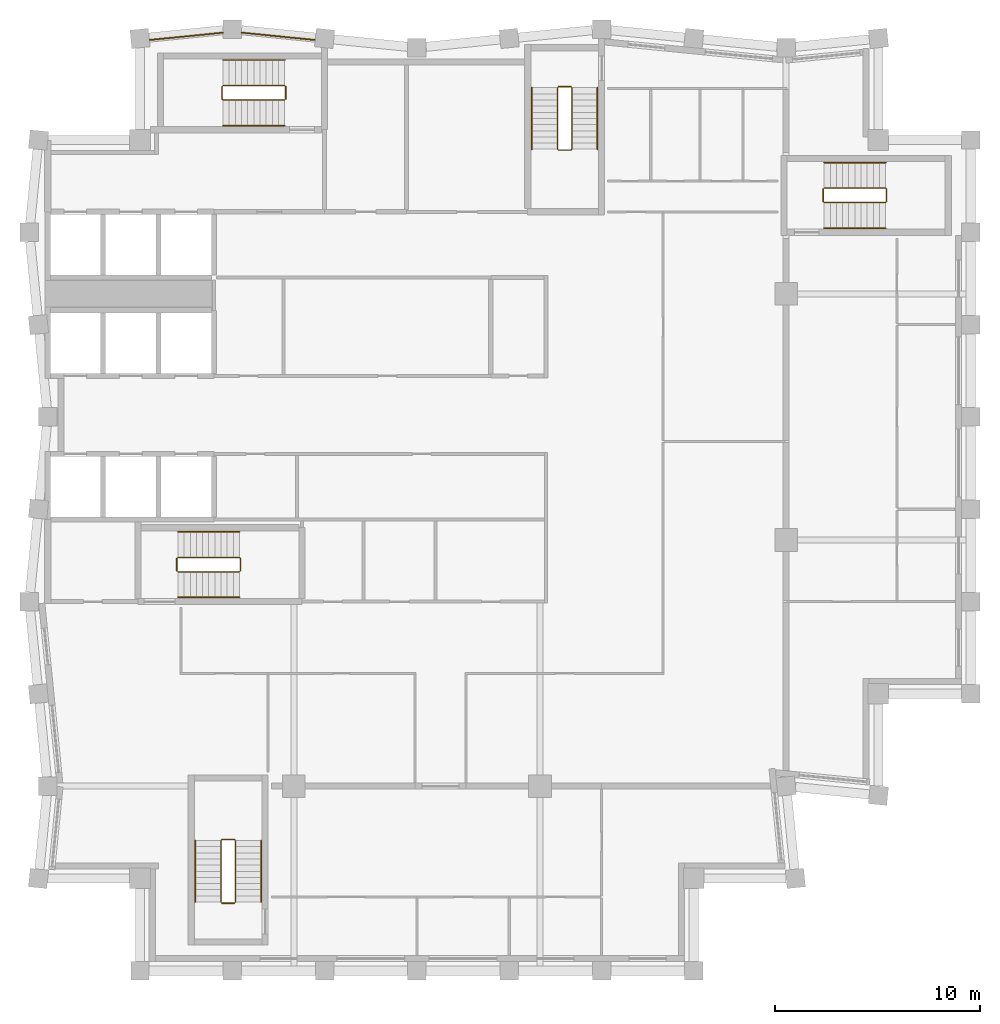
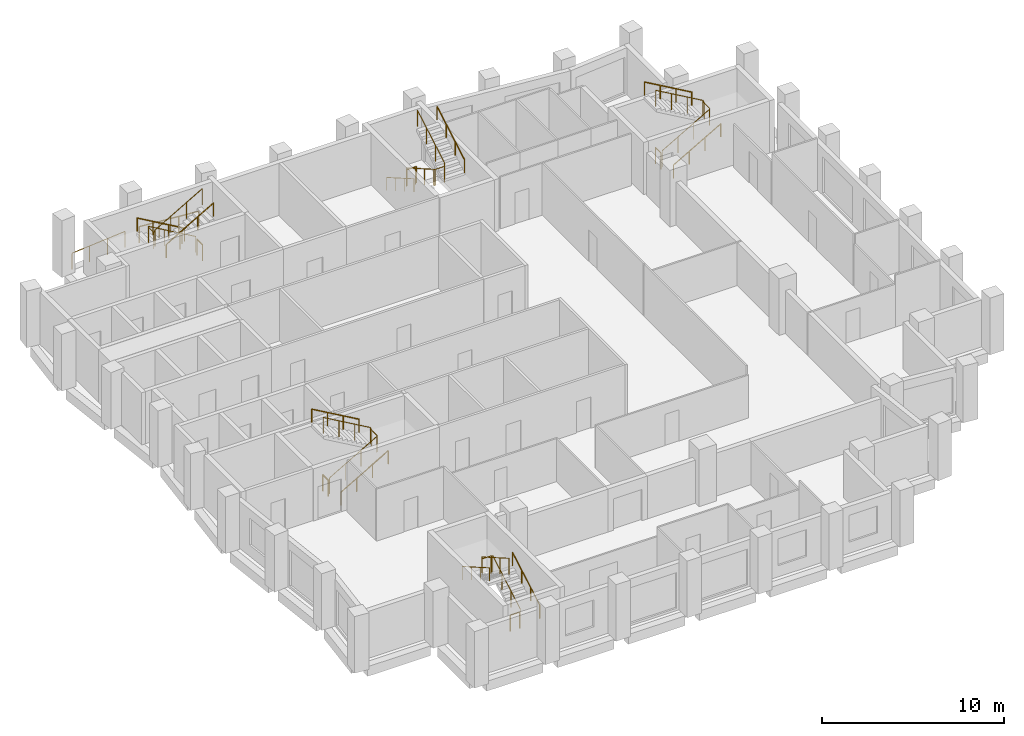
# One storey, part 7 of 7: 22 railings.
"""IFC4 building model written with IfcOpenShell, lengths in metres."""

from ifc_helpers import new_model, si_unit, direction, frame, origin, origin_2d, place, context, subcontext, project, spatial, circle, extrude, material, type_object, element, save


model = new_model("IFC4")

# Units and contexts
model_context = context("Model", 3, precision=1e-05, world=origin(), true_north=direction((0.0, 1.0)))
body_context = subcontext(model_context, "Body", "Model", "MODEL_VIEW")
ifc_project = project(units=[si_unit("LENGTHUNIT", "METRE"), si_unit("AREAUNIT", "SQUARE_METRE"), si_unit("VOLUMEUNIT", "CUBIC_METRE"), si_unit("PLANEANGLEUNIT", "RADIAN"), si_unit("MASSUNIT", "GRAM", prefix="KILO")], contexts=[model_context])

# Site, building, storey
site_placement = place(None, origin())
site = spatial("IfcSite", under=ifc_project, at=site_placement, CompositionType="ELEMENT")
building_placement = place(site_placement, origin())
building = spatial("IfcBuilding", under=site, at=building_placement, Name="Brondeck Convention Tower", CompositionType="ELEMENT")
storey_placement = place(building_placement, frame((0.0, 0.0, 267.60009765625)))
storey = spatial("IfcBuildingStorey", under=building, at=storey_placement, Name="L66", CompositionType="ELEMENT", Elevation=267.60009765625)

# Railings
ifc_material_1 = material(Name="Steel S355, bronze painted", Category="steel")
railing_type_1 = type_object("IfcRailingType", Name="Guard, bronze steel rail and posts", PredefinedType="GUARDRAIL", material=ifc_material_1)
railing_1_placement = place(storey_placement, frame((4.9794921875, 63.37744140625, 0.0)))
element("IfcRailing", 1, at=railing_1_placement, inside=storey, type_object=railing_type_1, Name="ENV-RL-L66-REAR1", PredefinedType="GUARDRAIL", context=body_context, shape_type="SweptSolid", body=[
    extrude(circle(Radius=0.02490234375, at=origin_2d()), frame((0.0, 0.0, 1.0751953125), z_axis=(0.995037864926, 0.099496971632, 0.0), x_axis=(-0.099496971632, 0.995037864926, 0.0)), (0.0, 0.0, 1.0), 3.58251953125),
    extrude(circle(Radius=0.02490234375, at=origin_2d()), origin(), (0.0, 0.0, 1.0), 1.050048828125),
    extrude(circle(Radius=0.02490234375, at=origin_2d()), frame((1.188232421875, 0.118896484375, 0.0)), (0.0, 0.0, 1.0), 1.050048828125),
    extrude(circle(Radius=0.02490234375, at=origin_2d()), frame((2.37646484375, 0.237548828125, 0.0)), (0.0, 0.0, 1.0), 1.050048828125),
    extrude(circle(Radius=0.02490234375, at=origin_2d()), frame((3.564697265625, 0.3564453125, 0.0)), (0.0, 0.0, 1.0), 1.050048828125),
])
railing_2_placement = place(storey_placement, frame((9.455810546875, 63.73388671875, 0.0)))
element("IfcRailing", 2, at=railing_2_placement, inside=storey, type_object=railing_type_1, Name="ENV-RL-L66-REAR2", PredefinedType="GUARDRAIL", context=body_context, shape_type="SweptSolid", body=[
    extrude(circle(Radius=0.02490234375, at=origin_2d()), frame((0.0, 0.0, 1.0751953125), z_axis=(0.995037864926, -0.099496971632, 0.0), x_axis=(0.099496971632, 0.995037864926, 0.0)), (0.0, 0.0, 1.0), 3.58251953125),
    extrude(circle(Radius=0.02490234375, at=origin_2d()), origin(), (0.0, 0.0, 1.0), 1.050048828125),
    extrude(circle(Radius=0.02490234375, at=origin_2d()), frame((1.188232421875, -0.118896484375, 0.0)), (0.0, 0.0, 1.0), 1.050048828125),
    extrude(circle(Radius=0.02490234375, at=origin_2d()), frame((2.37646484375, -0.237548828125, 0.0)), (0.0, 0.0, 1.0), 1.050048828125),
    extrude(circle(Radius=0.02490234375, at=origin_2d()), frame((3.564697265625, -0.3564453125, 0.0)), (0.0, 0.0, 1.0), 1.050048828125),
])
ifc_material_2 = material(Name="Steel S355", Category="steel")
railing_type_2 = type_object("IfcRailingType", Name="Stair guard 1100", PredefinedType="GUARDRAIL", material=ifc_material_2)
railing_3_placement = place(storey_placement, frame((6.35009765625, 37.449951171875, 0.172607421875)))
element("IfcRailing", 3, at=railing_3_placement, inside=storey, type_object=railing_type_2, Name="L66 ST-1 stair guard 1", PredefinedType="GUARDRAIL", context=body_context, shape_type="SweptSolid", body=[
    extrude(circle(Radius=0.02392578125, at=origin_2d()), frame((0.0, 0.0, 1.076171875), z_axis=(0.866619684472, 0.0, 0.498969260062), x_axis=(0.0, 1.0, 0.0)), (0.0, 0.0, 1.0), 3.461669921875),
    extrude(circle(Radius=0.02392578125, at=origin_2d()), frame((3.0, 0.0, 2.80322265625), z_axis=(0.705375805398, 0.708833529934, 0.0), x_axis=(-0.708833529934, 0.705375805398, 0.0)), (0.0, 0.0, 1.0), 0.070556640625),
    extrude(circle(Radius=0.02392578125, at=origin_2d()), frame((3.0498046875, 0.050048828125, 2.80322265625), z_axis=(0.0, 1.0, 0.0), x_axis=(-1.0, 0.0, 0.0)), (0.0, 0.0, 1.0), 0.60009765625),
    extrude(circle(Radius=0.02392578125, at=origin_2d()), frame((3.0498046875, 0.650146484375, 2.80322265625), z_axis=(-0.26715648603, 0.26715648603, 0.925880566782), x_axis=(-0.707106781187, -0.707106781187, 0.0)), (0.0, 0.0, 1.0), 0.1865234375),
    extrude(circle(Radius=0.02392578125, at=origin_2d()), frame((3.0, 0.699951171875, 2.97607421875), z_axis=(-0.866619684472, 0.0, 0.498969260062), x_axis=(0.0, -1.0, 0.0)), (0.0, 0.0, 1.0), 3.461669921875),
    extrude(circle(Radius=0.02099609375, at=origin_2d()), origin(), (0.0, 0.0, 1.0), 1.052001953125),
    extrude(circle(Radius=0.02099609375, at=origin_2d()), frame((1.0, 0.0, 0.57568359375)), (0.0, 0.0, 1.0), 1.052001953125),
    extrude(circle(Radius=0.02099609375, at=origin_2d()), frame((2.0, 0.0, 1.151611328125)), (0.0, 0.0, 1.0), 1.052001953125),
    extrude(circle(Radius=0.02099609375, at=origin_2d()), frame((3.0, 0.0, 1.727294921875)), (0.0, 0.0, 1.0), 1.052001953125),
    extrude(circle(Radius=0.02099609375, at=origin_2d()), frame((3.0498046875, 0.050048828125, 1.727294921875)), (0.0, 0.0, 1.0), 1.052001953125),
    extrude(circle(Radius=0.02099609375, at=origin_2d()), frame((3.0498046875, 0.650146484375, 1.727294921875)), (0.0, 0.0, 1.0), 1.052001953125),
    extrude(circle(Radius=0.02099609375, at=origin_2d()), frame((3.0, 0.699951171875, 1.89990234375)), (0.0, 0.0, 1.0), 1.052001953125),
    extrude(circle(Radius=0.02099609375, at=origin_2d()), frame((2.0, 0.699951171875, 2.4755859375)), (0.0, 0.0, 1.0), 1.052001953125),
    extrude(circle(Radius=0.02099609375, at=origin_2d()), frame((1.0, 0.699951171875, 3.051513671875)), (0.0, 0.0, 1.0), 1.052001953125),
    extrude(circle(Radius=0.02099609375, at=origin_2d()), frame((0.0, 0.699951171875, 3.627197265625)), (0.0, 0.0, 1.0), 1.052001953125),
])
railing_4_placement = place(storey_placement, frame((6.300048828125, 37.5, 0.0)))
element("IfcRailing", 4, at=railing_4_placement, inside=storey, type_object=railing_type_2, Name="L66 ST-1 stair guard 2", PredefinedType="GUARDRAIL", context=body_context, shape_type="SweptSolid", body=[
    extrude(circle(Radius=0.02392578125, at=origin_2d()), frame((0.0, 0.0, 1.076171875), z_axis=(0.0, 1.0, 0.0), x_axis=(-1.0, 0.0, 0.0)), (0.0, 0.0, 1.0), 0.60009765625),
    extrude(circle(Radius=0.02099609375, at=origin_2d()), origin(), (0.0, 0.0, 1.0), 1.052001953125),
    extrude(circle(Radius=0.02099609375, at=origin_2d()), frame((0.0, 0.60009765625, 0.0)), (0.0, 0.0, 1.0), 1.052001953125),
])
railing_5_placement = place(storey_placement, frame((24.85009765625, 61.050048828125, 0.172607421875)))
element("IfcRailing", 5, at=railing_5_placement, inside=storey, type_object=railing_type_2, Name="L66 ST-2 stair guard 1", PredefinedType="GUARDRAIL", context=body_context, shape_type="SweptSolid", body=[
    extrude(circle(Radius=0.02392578125, at=origin_2d()), frame((0.0, 0.0, 1.076171875), z_axis=(0.0, -0.866619684472, 0.498969260062), x_axis=(1.0, 0.0, 0.0)), (0.0, 0.0, 1.0), 3.461669921875),
    extrude(circle(Radius=0.02392578125, at=origin_2d()), frame((0.0, -3.0, 2.80322265625), z_axis=(0.705375805398, -0.708833529934, 0.0), x_axis=(0.708833529934, 0.705375805398, 0.0)), (0.0, 0.0, 1.0), 0.070556640625),
    extrude(circle(Radius=0.02392578125, at=origin_2d()), frame((0.0498046875, -3.050048828125, 2.80322265625), z_axis=(1.0, 0.0, 0.0), x_axis=(0.0, 1.0, 0.0)), (0.0, 0.0, 1.0), 0.60009765625),
    extrude(circle(Radius=0.02392578125, at=origin_2d()), frame((0.64990234375, -3.050048828125, 2.80322265625), z_axis=(0.268277960024, 0.268277960024, 0.925231793839), x_axis=(-0.707106781187, 0.707106781187, 0.0)), (0.0, 0.0, 1.0), 0.1865234375),
    extrude(circle(Radius=0.02392578125, at=origin_2d()), frame((0.699951171875, -3.0, 2.97607421875), z_axis=(0.0, 0.866619684472, 0.498969260062), x_axis=(-1.0, 0.0, 0.0)), (0.0, 0.0, 1.0), 3.461669921875),
    extrude(circle(Radius=0.02099609375, at=origin_2d()), origin(), (0.0, 0.0, 1.0), 1.052001953125),
    extrude(circle(Radius=0.02099609375, at=origin_2d()), frame((0.0, -1.0, 0.57568359375)), (0.0, 0.0, 1.0), 1.052001953125),
    extrude(circle(Radius=0.02099609375, at=origin_2d()), frame((0.0, -2.0, 1.151611328125)), (0.0, 0.0, 1.0), 1.052001953125),
    extrude(circle(Radius=0.02099609375, at=origin_2d()), frame((0.0, -3.0, 1.727294921875)), (0.0, 0.0, 1.0), 1.052001953125),
    extrude(circle(Radius=0.02099609375, at=origin_2d()), frame((0.0498046875, -3.050048828125, 1.727294921875)), (0.0, 0.0, 1.0), 1.052001953125),
    extrude(circle(Radius=0.02099609375, at=origin_2d()), frame((0.64990234375, -3.050048828125, 1.727294921875)), (0.0, 0.0, 1.0), 1.052001953125),
    extrude(circle(Radius=0.02099609375, at=origin_2d()), frame((0.699951171875, -3.0, 1.89990234375)), (0.0, 0.0, 1.0), 1.052001953125),
    extrude(circle(Radius=0.02099609375, at=origin_2d()), frame((0.699951171875, -2.0, 2.4755859375)), (0.0, 0.0, 1.0), 1.052001953125),
    extrude(circle(Radius=0.02099609375, at=origin_2d()), frame((0.699951171875, -1.0, 3.051513671875)), (0.0, 0.0, 1.0), 1.052001953125),
    extrude(circle(Radius=0.02099609375, at=origin_2d()), frame((0.699951171875, 0.0, 3.627197265625)), (0.0, 0.0, 1.0), 1.052001953125),
])
railing_6_placement = place(storey_placement, frame((24.89990234375, 61.10009765625, 0.0)))
element("IfcRailing", 6, at=railing_6_placement, inside=storey, type_object=railing_type_2, Name="L66 ST-2 stair guard 2", PredefinedType="GUARDRAIL", context=body_context, shape_type="SweptSolid", body=[
    extrude(circle(Radius=0.02392578125, at=origin_2d()), frame((0.0, 0.0, 1.076171875), z_axis=(1.0, 0.0, 0.0), x_axis=(0.0, 1.0, 0.0)), (0.0, 0.0, 1.0), 0.60009765625),
    extrude(circle(Radius=0.02099609375, at=origin_2d()), origin(), (0.0, 0.0, 1.0), 1.052001953125),
    extrude(circle(Radius=0.02099609375, at=origin_2d()), frame((0.60009765625, 0.0, 0.0)), (0.0, 0.0, 1.0), 1.052001953125),
])
railing_7_placement = place(storey_placement, frame((11.550048828125, 61.14990234375, 0.172607421875)))
element("IfcRailing", 7, at=railing_7_placement, inside=storey, type_object=railing_type_2, Name="L66 ST-3 stair guard 1", PredefinedType="GUARDRAIL", context=body_context, shape_type="SweptSolid", body=[
    extrude(circle(Radius=0.02392578125, at=origin_2d()), frame((0.0, 0.0, 1.076171875), z_axis=(-0.866619684472, 0.0, 0.498969260062), x_axis=(0.0, -1.0, 0.0)), (0.0, 0.0, 1.0), 3.461669921875),
    extrude(circle(Radius=0.02392578125, at=origin_2d()), frame((-3.0, 0.0, 2.80322265625), z_axis=(-0.708833529934, -0.705375805398, 0.0), x_axis=(0.705375805398, -0.708833529934, 0.0)), (0.0, 0.0, 1.0), 0.070556640625),
    extrude(circle(Radius=0.02392578125, at=origin_2d()), frame((-3.050048828125, -0.0498046875, 2.80322265625), z_axis=(0.0, -1.0, 0.0), x_axis=(1.0, 0.0, 0.0)), (0.0, 0.0, 1.0), 0.60009765625),
    extrude(circle(Radius=0.02392578125, at=origin_2d()), frame((-3.050048828125, -0.64990234375, 2.80322265625), z_axis=(0.268277960024, -0.268277960024, 0.925231793839), x_axis=(0.707106781187, 0.707106781187, 0.0)), (0.0, 0.0, 1.0), 0.1865234375),
    extrude(circle(Radius=0.02392578125, at=origin_2d()), frame((-3.0, -0.699951171875, 2.97607421875), z_axis=(0.866619684472, 0.0, 0.498969260062), x_axis=(0.0, 1.0, 0.0)), (0.0, 0.0, 1.0), 3.461669921875),
    extrude(circle(Radius=0.02099609375, at=origin_2d()), origin(), (0.0, 0.0, 1.0), 1.052001953125),
    extrude(circle(Radius=0.02099609375, at=origin_2d()), frame((-1.0, 0.0, 0.57568359375)), (0.0, 0.0, 1.0), 1.052001953125),
    extrude(circle(Radius=0.02099609375, at=origin_2d()), frame((-2.0, 0.0, 1.151611328125)), (0.0, 0.0, 1.0), 1.052001953125),
    extrude(circle(Radius=0.02099609375, at=origin_2d()), frame((-3.0, 0.0, 1.727294921875)), (0.0, 0.0, 1.0), 1.052001953125),
    extrude(circle(Radius=0.02099609375, at=origin_2d()), frame((-3.050048828125, -0.0498046875, 1.727294921875)), (0.0, 0.0, 1.0), 1.052001953125),
    extrude(circle(Radius=0.02099609375, at=origin_2d()), frame((-3.050048828125, -0.64990234375, 1.727294921875)), (0.0, 0.0, 1.0), 1.052001953125),
    extrude(circle(Radius=0.02099609375, at=origin_2d()), frame((-3.0, -0.699951171875, 1.89990234375)), (0.0, 0.0, 1.0), 1.052001953125),
    extrude(circle(Radius=0.02099609375, at=origin_2d()), frame((-2.0, -0.699951171875, 2.4755859375)), (0.0, 0.0, 1.0), 1.052001953125),
    extrude(circle(Radius=0.02099609375, at=origin_2d()), frame((-1.0, -0.699951171875, 3.051513671875)), (0.0, 0.0, 1.0), 1.052001953125),
    extrude(circle(Radius=0.02099609375, at=origin_2d()), frame((0.0, -0.699951171875, 3.627197265625)), (0.0, 0.0, 1.0), 1.052001953125),
])
railing_8_placement = place(storey_placement, frame((11.60009765625, 61.10009765625, 0.0)))
element("IfcRailing", 8, at=railing_8_placement, inside=storey, type_object=railing_type_2, Name="L66 ST-3 stair guard 2", PredefinedType="GUARDRAIL", context=body_context, shape_type="SweptSolid", body=[
    extrude(circle(Radius=0.02392578125, at=origin_2d()), frame((0.0, 0.0, 1.076171875), z_axis=(0.0, -1.0, 0.0), x_axis=(1.0, 0.0, 0.0)), (0.0, 0.0, 1.0), 0.60009765625),
    extrude(circle(Radius=0.02099609375, at=origin_2d()), origin(), (0.0, 0.0, 1.0), 1.052001953125),
    extrude(circle(Radius=0.02099609375, at=origin_2d()), frame((0.0, -0.60009765625, 0.0)), (0.0, 0.0, 1.0), 1.052001953125),
])
railing_9_placement = place(storey_placement, frame((37.85009765625, 55.449951171875, 0.172607421875)))
element("IfcRailing", 9, at=railing_9_placement, inside=storey, type_object=railing_type_2, Name="L66 ST-AE stair guard 1", PredefinedType="GUARDRAIL", context=body_context, shape_type="SweptSolid", body=[
    extrude(circle(Radius=0.02392578125, at=origin_2d()), frame((0.0, 0.0, 1.076171875), z_axis=(0.866619684472, 0.0, 0.498969260062), x_axis=(0.0, 1.0, 0.0)), (0.0, 0.0, 1.0), 3.461669921875),
    extrude(circle(Radius=0.02392578125, at=origin_2d()), frame((3.0, 0.0, 2.80322265625), z_axis=(0.705375805398, 0.708833529934, 0.0), x_axis=(-0.708833529934, 0.705375805398, 0.0)), (0.0, 0.0, 1.0), 0.070556640625),
    extrude(circle(Radius=0.02392578125, at=origin_2d()), frame((3.0498046875, 0.050048828125, 2.80322265625), z_axis=(0.0, 1.0, 0.0), x_axis=(-1.0, 0.0, 0.0)), (0.0, 0.0, 1.0), 0.60009765625),
    extrude(circle(Radius=0.02392578125, at=origin_2d()), frame((3.0498046875, 0.650146484375, 2.80322265625), z_axis=(-0.26715648603, 0.26715648603, 0.925880566782), x_axis=(-0.707106781187, -0.707106781187, 0.0)), (0.0, 0.0, 1.0), 0.1865234375),
    extrude(circle(Radius=0.02392578125, at=origin_2d()), frame((3.0, 0.699951171875, 2.97607421875), z_axis=(-0.866619684472, 0.0, 0.498969260062), x_axis=(0.0, -1.0, 0.0)), (0.0, 0.0, 1.0), 3.461669921875),
    extrude(circle(Radius=0.02099609375, at=origin_2d()), origin(), (0.0, 0.0, 1.0), 1.052001953125),
    extrude(circle(Radius=0.02099609375, at=origin_2d()), frame((1.0, 0.0, 0.57568359375)), (0.0, 0.0, 1.0), 1.052001953125),
    extrude(circle(Radius=0.02099609375, at=origin_2d()), frame((2.0, 0.0, 1.151611328125)), (0.0, 0.0, 1.0), 1.052001953125),
    extrude(circle(Radius=0.02099609375, at=origin_2d()), frame((3.0, 0.0, 1.727294921875)), (0.0, 0.0, 1.0), 1.052001953125),
    extrude(circle(Radius=0.02099609375, at=origin_2d()), frame((3.0498046875, 0.050048828125, 1.727294921875)), (0.0, 0.0, 1.0), 1.052001953125),
    extrude(circle(Radius=0.02099609375, at=origin_2d()), frame((3.0498046875, 0.650146484375, 1.727294921875)), (0.0, 0.0, 1.0), 1.052001953125),
    extrude(circle(Radius=0.02099609375, at=origin_2d()), frame((3.0, 0.699951171875, 1.89990234375)), (0.0, 0.0, 1.0), 1.052001953125),
    extrude(circle(Radius=0.02099609375, at=origin_2d()), frame((2.0, 0.699951171875, 2.4755859375)), (0.0, 0.0, 1.0), 1.052001953125),
    extrude(circle(Radius=0.02099609375, at=origin_2d()), frame((1.0, 0.699951171875, 3.051513671875)), (0.0, 0.0, 1.0), 1.052001953125),
    extrude(circle(Radius=0.02099609375, at=origin_2d()), frame((0.0, 0.699951171875, 3.627197265625)), (0.0, 0.0, 1.0), 1.052001953125),
])
railing_10_placement = place(storey_placement, frame((37.800048828125, 55.5, 0.0)))
element("IfcRailing", 10, at=railing_10_placement, inside=storey, type_object=railing_type_2, Name="L66 ST-AE stair guard 2", PredefinedType="GUARDRAIL", context=body_context, shape_type="SweptSolid", body=[
    extrude(circle(Radius=0.02392578125, at=origin_2d()), frame((0.0, 0.0, 1.076171875), z_axis=(0.0, 1.0, 0.0), x_axis=(-1.0, 0.0, 0.0)), (0.0, 0.0, 1.0), 0.60009765625),
    extrude(circle(Radius=0.02099609375, at=origin_2d()), origin(), (0.0, 0.0, 1.0), 1.052001953125),
    extrude(circle(Radius=0.02099609375, at=origin_2d()), frame((0.0, 0.60009765625, 0.0)), (0.0, 0.0, 1.0), 1.052001953125),
])
railing_11_placement = place(storey_placement, frame((9.14990234375, 21.35009765625, 0.172607421875)))
element("IfcRailing", 11, at=railing_11_placement, inside=storey, type_object=railing_type_2, Name="L66 ST-BE stair guard 1", PredefinedType="GUARDRAIL", context=body_context, shape_type="SweptSolid", body=[
    extrude(circle(Radius=0.02392578125, at=origin_2d()), frame((0.0, 0.0, 1.076171875), z_axis=(0.0, 0.866619684472, 0.498969260062), x_axis=(-1.0, 0.0, 0.0)), (0.0, 0.0, 1.0), 3.461669921875),
    extrude(circle(Radius=0.02392578125, at=origin_2d()), frame((0.0, 3.0, 2.80322265625), z_axis=(-0.707106781187, 0.707106781187, 0.0), x_axis=(-0.707106781187, -0.707106781187, 0.0)), (0.0, 0.0, 1.0), 0.0703125),
    extrude(circle(Radius=0.02392578125, at=origin_2d()), frame((-0.0498046875, 3.0498046875, 2.80322265625), z_axis=(-1.0, 0.0, 0.0), x_axis=(0.0, -1.0, 0.0)), (0.0, 0.0, 1.0), 0.60009765625),
    extrude(circle(Radius=0.02392578125, at=origin_2d()), frame((-0.64990234375, 3.0498046875, 2.80322265625), z_axis=(-0.268371968888, -0.267062837333, 0.925556009775), x_axis=(0.705375805398, -0.708833529934, 0.0)), (0.0, 0.0, 1.0), 0.1865234375),
    extrude(circle(Radius=0.02392578125, at=origin_2d()), frame((-0.699951171875, 3.0, 2.97607421875), z_axis=(0.0, -0.866619684472, 0.498969260062), x_axis=(1.0, 0.0, 0.0)), (0.0, 0.0, 1.0), 3.461669921875),
    extrude(circle(Radius=0.02099609375, at=origin_2d()), origin(), (0.0, 0.0, 1.0), 1.052001953125),
    extrude(circle(Radius=0.02099609375, at=origin_2d()), frame((0.0, 1.0, 0.57568359375)), (0.0, 0.0, 1.0), 1.052001953125),
    extrude(circle(Radius=0.02099609375, at=origin_2d()), frame((0.0, 2.0, 1.151611328125)), (0.0, 0.0, 1.0), 1.052001953125),
    extrude(circle(Radius=0.02099609375, at=origin_2d()), frame((0.0, 3.0, 1.727294921875)), (0.0, 0.0, 1.0), 1.052001953125),
    extrude(circle(Radius=0.02099609375, at=origin_2d()), frame((-0.0498046875, 3.0498046875, 1.727294921875)), (0.0, 0.0, 1.0), 1.052001953125),
    extrude(circle(Radius=0.02099609375, at=origin_2d()), frame((-0.64990234375, 3.0498046875, 1.727294921875)), (0.0, 0.0, 1.0), 1.052001953125),
    extrude(circle(Radius=0.02099609375, at=origin_2d()), frame((-0.699951171875, 3.0, 1.89990234375)), (0.0, 0.0, 1.0), 1.052001953125),
    extrude(circle(Radius=0.02099609375, at=origin_2d()), frame((-0.699951171875, 2.0, 2.4755859375)), (0.0, 0.0, 1.0), 1.052001953125),
    extrude(circle(Radius=0.02099609375, at=origin_2d()), frame((-0.699951171875, 1.0, 3.051513671875)), (0.0, 0.0, 1.0), 1.052001953125),
    extrude(circle(Radius=0.02099609375, at=origin_2d()), frame((-0.699951171875, 0.0, 3.627197265625)), (0.0, 0.0, 1.0), 1.052001953125),
])
railing_12_placement = place(storey_placement, frame((9.10009765625, 21.300048828125, 0.0)))
element("IfcRailing", 12, at=railing_12_placement, inside=storey, type_object=railing_type_2, Name="L66 ST-BE stair guard 2", PredefinedType="GUARDRAIL", context=body_context, shape_type="SweptSolid", body=[
    extrude(circle(Radius=0.02392578125, at=origin_2d()), frame((0.0, 0.0, 1.076171875), z_axis=(-1.0, 0.0, 0.0), x_axis=(0.0, -1.0, 0.0)), (0.0, 0.0, 1.0), 0.60009765625),
    extrude(circle(Radius=0.02099609375, at=origin_2d()), origin(), (0.0, 0.0, 1.0), 1.052001953125),
    extrude(circle(Radius=0.02099609375, at=origin_2d()), frame((-0.60009765625, 0.0, 0.0)), (0.0, 0.0, 1.0), 1.052001953125),
])
railing_type_3 = type_object("IfcRailingType", Name="Stair handrail", PredefinedType="HANDRAIL", material=ifc_material_2)
railing_13_placement = place(storey_placement, frame((6.35009765625, 36.199951171875, 0.172607421875)))
element("IfcRailing", 13, at=railing_13_placement, inside=storey, type_object=railing_type_3, Name="L66 ST-1 stair handrail 1", PredefinedType="HANDRAIL", context=body_context, shape_type="SweptSolid", body=[
    extrude(circle(Radius=0.02392578125, at=origin_2d()), frame((0.0, 0.0, 0.8759765625), z_axis=(0.866619684472, 0.0, 0.498969260062), x_axis=(0.0, 1.0, 0.0)), (0.0, 0.0, 1.0), 3.461669921875),
    extrude(circle(Radius=0.02099609375, at=origin_2d()), origin(), (0.0, 0.0, 1.0), 0.851806640625),
    extrude(circle(Radius=0.02099609375, at=origin_2d()), frame((1.0, 0.0, 0.57568359375)), (0.0, 0.0, 1.0), 0.851806640625),
    extrude(circle(Radius=0.02099609375, at=origin_2d()), frame((2.0, 0.0, 1.151611328125)), (0.0, 0.0, 1.0), 0.851806640625),
    extrude(circle(Radius=0.02099609375, at=origin_2d()), frame((3.0, 0.0, 1.727294921875)), (0.0, 0.0, 1.0), 0.851806640625),
])
railing_14_placement = place(storey_placement, frame((9.35009765625, 39.39990234375, 2.072509765625)))
element("IfcRailing", 14, at=railing_14_placement, inside=storey, type_object=railing_type_3, Name="L66 ST-1 stair handrail 2", PredefinedType="HANDRAIL", context=body_context, shape_type="SweptSolid", body=[
    extrude(circle(Radius=0.02392578125, at=origin_2d()), frame((0.0, 0.0, 0.8759765625), z_axis=(-0.866619684472, 0.0, 0.498969260062), x_axis=(0.0, -1.0, 0.0)), (0.0, 0.0, 1.0), 3.461669921875),
    extrude(circle(Radius=0.02099609375, at=origin_2d()), origin(), (0.0, 0.0, 1.0), 0.851806640625),
    extrude(circle(Radius=0.02099609375, at=origin_2d()), frame((-1.0, 0.0, 0.57568359375)), (0.0, 0.0, 1.0), 0.851806640625),
    extrude(circle(Radius=0.02099609375, at=origin_2d()), frame((-2.0, 0.0, 1.151611328125)), (0.0, 0.0, 1.0), 0.851806640625),
    extrude(circle(Radius=0.02099609375, at=origin_2d()), frame((-3.0, 0.0, 1.727294921875)), (0.0, 0.0, 1.0), 0.851806640625),
])
railing_15_placement = place(storey_placement, frame((23.60009765625, 61.050048828125, 0.172607421875)))
element("IfcRailing", 15, at=railing_15_placement, inside=storey, type_object=railing_type_3, Name="L66 ST-2 stair handrail 1", PredefinedType="HANDRAIL", context=body_context, shape_type="SweptSolid", body=[
    extrude(circle(Radius=0.02392578125, at=origin_2d()), frame((0.0, 0.0, 0.8759765625), z_axis=(0.0, -0.866619684472, 0.498969260062), x_axis=(1.0, 0.0, 0.0)), (0.0, 0.0, 1.0), 3.461669921875),
    extrude(circle(Radius=0.02099609375, at=origin_2d()), origin(), (0.0, 0.0, 1.0), 0.851806640625),
    extrude(circle(Radius=0.02099609375, at=origin_2d()), frame((0.0, -1.0, 0.57568359375)), (0.0, 0.0, 1.0), 0.851806640625),
    extrude(circle(Radius=0.02099609375, at=origin_2d()), frame((0.0, -2.0, 1.151611328125)), (0.0, 0.0, 1.0), 0.851806640625),
    extrude(circle(Radius=0.02099609375, at=origin_2d()), frame((0.0, -3.0, 1.727294921875)), (0.0, 0.0, 1.0), 0.851806640625),
])
railing_16_placement = place(storey_placement, frame((26.800048828125, 58.050048828125, 2.072509765625)))
element("IfcRailing", 16, at=railing_16_placement, inside=storey, type_object=railing_type_3, Name="L66 ST-2 stair handrail 2", PredefinedType="HANDRAIL", context=body_context, shape_type="SweptSolid", body=[
    extrude(circle(Radius=0.02392578125, at=origin_2d()), frame((0.0, 0.0, 0.8759765625), z_axis=(0.0, 0.866619684472, 0.498969260062), x_axis=(-1.0, 0.0, 0.0)), (0.0, 0.0, 1.0), 3.461669921875),
    extrude(circle(Radius=0.02099609375, at=origin_2d()), origin(), (0.0, 0.0, 1.0), 0.851806640625),
    extrude(circle(Radius=0.02099609375, at=origin_2d()), frame((0.0, 1.0, 0.57568359375)), (0.0, 0.0, 1.0), 0.851806640625),
    extrude(circle(Radius=0.02099609375, at=origin_2d()), frame((0.0, 2.0, 1.151611328125)), (0.0, 0.0, 1.0), 0.851806640625),
    extrude(circle(Radius=0.02099609375, at=origin_2d()), frame((0.0, 3.0, 1.727294921875)), (0.0, 0.0, 1.0), 0.851806640625),
])
railing_17_placement = place(storey_placement, frame((11.550048828125, 62.39990234375, 0.172607421875)))
element("IfcRailing", 17, at=railing_17_placement, inside=storey, type_object=railing_type_3, Name="L66 ST-3 stair handrail 1", PredefinedType="HANDRAIL", context=body_context, shape_type="SweptSolid", body=[
    extrude(circle(Radius=0.02392578125, at=origin_2d()), frame((0.0, 0.0, 0.8759765625), z_axis=(-0.866619684472, 0.0, 0.498969260062), x_axis=(0.0, -1.0, 0.0)), (0.0, 0.0, 1.0), 3.461669921875),
    extrude(circle(Radius=0.02099609375, at=origin_2d()), origin(), (0.0, 0.0, 1.0), 0.851806640625),
    extrude(circle(Radius=0.02099609375, at=origin_2d()), frame((-1.0, 0.0, 0.57568359375)), (0.0, 0.0, 1.0), 0.851806640625),
    extrude(circle(Radius=0.02099609375, at=origin_2d()), frame((-2.0, 0.0, 1.151611328125)), (0.0, 0.0, 1.0), 0.851806640625),
    extrude(circle(Radius=0.02099609375, at=origin_2d()), frame((-3.0, 0.0, 1.727294921875)), (0.0, 0.0, 1.0), 0.851806640625),
])
for number, where, name in (
    (18, (8.550048828125, 59.199951171875, 2.072509765625), "L66 ST-3 stair handrail 2"),
    (19, (37.85009765625, 54.199951171875, 0.172607421875), "L66 ST-AE stair handrail 1"),
):
    element("IfcRailing", number, at=place(storey_placement, frame(where)), inside=storey, type_object=railing_type_3, Name=name, PredefinedType="HANDRAIL", context=body_context, shape_type="SweptSolid", body=[
        extrude(circle(Radius=0.02392578125, at=origin_2d()), frame((0.0, 0.0, 0.8759765625), z_axis=(0.866619684472, 0.0, 0.498969260062), x_axis=(0.0, 1.0, 0.0)), (0.0, 0.0, 1.0), 3.461669921875),
        extrude(circle(Radius=0.02099609375, at=origin_2d()), origin(), (0.0, 0.0, 1.0), 0.851806640625),
        extrude(circle(Radius=0.02099609375, at=origin_2d()), frame((1.0, 0.0, 0.57568359375)), (0.0, 0.0, 1.0), 0.851806640625),
        extrude(circle(Radius=0.02099609375, at=origin_2d()), frame((2.0, 0.0, 1.151611328125)), (0.0, 0.0, 1.0), 0.851806640625),
        extrude(circle(Radius=0.02099609375, at=origin_2d()), frame((3.0, 0.0, 1.727294921875)), (0.0, 0.0, 1.0), 0.851806640625),
    ])
railing_18_placement = place(storey_placement, frame((40.85009765625, 57.39990234375, 2.072509765625)))
element("IfcRailing", 20, at=railing_18_placement, inside=storey, type_object=railing_type_3, Name="L66 ST-AE stair handrail 2", PredefinedType="HANDRAIL", context=body_context, shape_type="SweptSolid", body=[
    extrude(circle(Radius=0.02392578125, at=origin_2d()), frame((0.0, 0.0, 0.8759765625), z_axis=(-0.866619684472, 0.0, 0.498969260062), x_axis=(0.0, -1.0, 0.0)), (0.0, 0.0, 1.0), 3.461669921875),
    extrude(circle(Radius=0.02099609375, at=origin_2d()), origin(), (0.0, 0.0, 1.0), 0.851806640625),
    extrude(circle(Radius=0.02099609375, at=origin_2d()), frame((-1.0, 0.0, 0.57568359375)), (0.0, 0.0, 1.0), 0.851806640625),
    extrude(circle(Radius=0.02099609375, at=origin_2d()), frame((-2.0, 0.0, 1.151611328125)), (0.0, 0.0, 1.0), 0.851806640625),
    extrude(circle(Radius=0.02099609375, at=origin_2d()), frame((-3.0, 0.0, 1.727294921875)), (0.0, 0.0, 1.0), 0.851806640625),
])
railing_19_placement = place(storey_placement, frame((10.39990234375, 21.35009765625, 0.172607421875)))
element("IfcRailing", 21, at=railing_19_placement, inside=storey, type_object=railing_type_3, Name="L66 ST-BE stair handrail 1", PredefinedType="HANDRAIL", context=body_context, shape_type="SweptSolid", body=[
    extrude(circle(Radius=0.02392578125, at=origin_2d()), frame((0.0, 0.0, 0.8759765625), z_axis=(0.0, 0.866619684472, 0.498969260062), x_axis=(-1.0, 0.0, 0.0)), (0.0, 0.0, 1.0), 3.461669921875),
    extrude(circle(Radius=0.02099609375, at=origin_2d()), origin(), (0.0, 0.0, 1.0), 0.851806640625),
    extrude(circle(Radius=0.02099609375, at=origin_2d()), frame((0.0, 1.0, 0.57568359375)), (0.0, 0.0, 1.0), 0.851806640625),
    extrude(circle(Radius=0.02099609375, at=origin_2d()), frame((0.0, 2.0, 1.151611328125)), (0.0, 0.0, 1.0), 0.851806640625),
    extrude(circle(Radius=0.02099609375, at=origin_2d()), frame((0.0, 3.0, 1.727294921875)), (0.0, 0.0, 1.0), 0.851806640625),
])
railing_20_placement = place(storey_placement, frame((7.199951171875, 24.35009765625, 2.072509765625)))
element("IfcRailing", 22, at=railing_20_placement, inside=storey, type_object=railing_type_3, Name="L66 ST-BE stair handrail 2", PredefinedType="HANDRAIL", context=body_context, shape_type="SweptSolid", body=[
    extrude(circle(Radius=0.02392578125, at=origin_2d()), frame((0.0, 0.0, 0.8759765625), z_axis=(0.0, -0.866619684472, 0.498969260062), x_axis=(1.0, 0.0, 0.0)), (0.0, 0.0, 1.0), 3.461669921875),
    extrude(circle(Radius=0.02099609375, at=origin_2d()), origin(), (0.0, 0.0, 1.0), 0.851806640625),
    extrude(circle(Radius=0.02099609375, at=origin_2d()), frame((0.0, -1.0, 0.57568359375)), (0.0, 0.0, 1.0), 0.851806640625),
    extrude(circle(Radius=0.02099609375, at=origin_2d()), frame((0.0, -2.0, 1.151611328125)), (0.0, 0.0, 1.0), 0.851806640625),
    extrude(circle(Radius=0.02099609375, at=origin_2d()), frame((0.0, -3.0, 1.727294921875)), (0.0, 0.0, 1.0), 0.851806640625),
])

save(model, "model.ifc")
